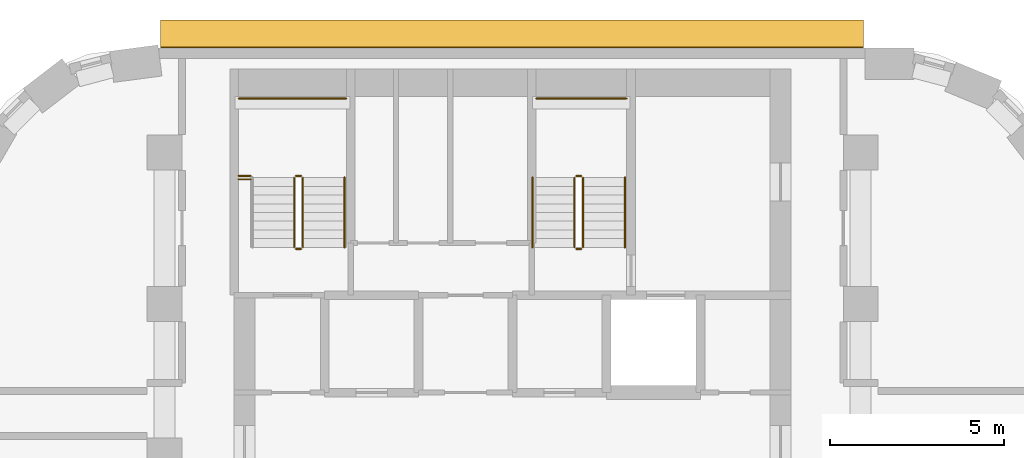
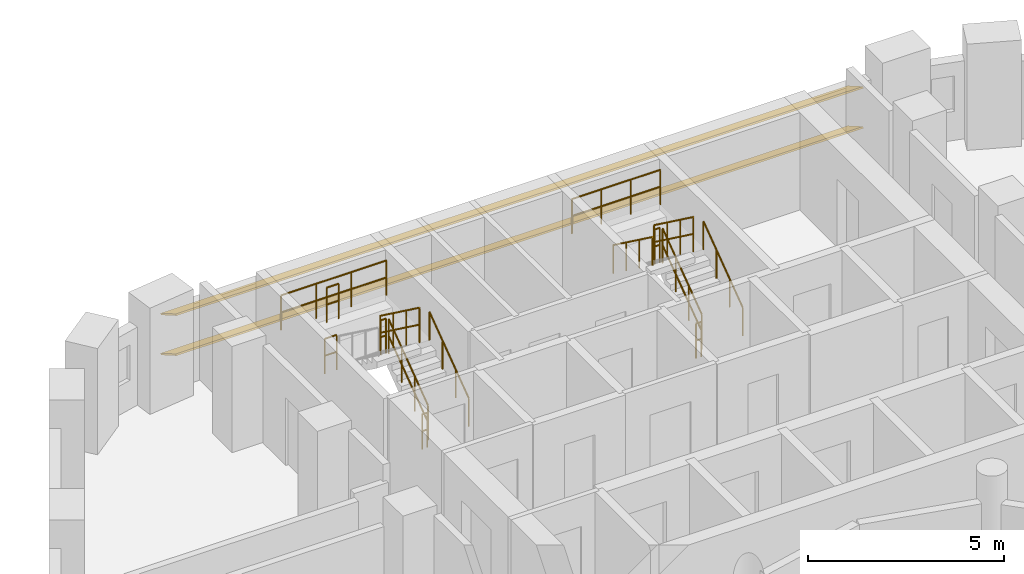
# One storey, part 12 of 12: 15 railings, 2 shading devices.
"""IFC4 building model written with IfcOpenShell, lengths in metres."""

from ifc_helpers import new_model, si_unit, direction, frame, origin, origin_2d, place, context, subcontext, project, spatial, rectangle, circle, extrude, material, material_profile, profile_set, type_object, element, save


model = new_model("IFC4")

# Units and contexts
model_context = context("Model", 3, precision=1e-05, world=origin(), true_north=direction((0.0, 1.0)))
body_context = subcontext(model_context, "Body", "Model", "MODEL_VIEW")
ifc_project = project(units=[si_unit("LENGTHUNIT", "METRE"), si_unit("AREAUNIT", "SQUARE_METRE"), si_unit("VOLUMEUNIT", "CUBIC_METRE"), si_unit("PLANEANGLEUNIT", "RADIAN"), si_unit("MASSUNIT", "GRAM", prefix="KILO")], contexts=[model_context])

# Site, building, storey
site_placement = place(None, origin())
site = spatial("IfcSite", under=ifc_project, at=site_placement, CompositionType="ELEMENT")
building_placement = place(site_placement, origin())
building = spatial("IfcBuilding", under=site, at=building_placement, Name="Nakaniwa Court", CompositionType="ELEMENT")
storey_placement = place(building_placement, frame((0.0, 0.0, 90.89990234375)))
storey = spatial("IfcBuildingStorey", under=building, at=storey_placement, Name="L23", CompositionType="ELEMENT", Elevation=90.89990234375)

# Shading devices
ifc_material_1 = material(Name="Perforated charcoal ceramic louvre blade")
ifc_material_profile = material_profile(ifc_material_1, rectangle(XDim=0.89990234375, YDim=0.050048828125, at=origin_2d()), Name="Perforated ceramic louvre blade")
ifc_profile_set = profile_set([ifc_material_profile], Name="Perforated charcoal ceramic louvre blade")
shading_device_type = type_object("IfcShadingDeviceType", Name="Perforated ceramic louvre blade", PredefinedType="JALOUSIE", material=ifc_profile_set)
for number, where, z_axis, x_axis, name in (
    (1, (90.07861328125, 104.402099609375, 0.550048828125), (-1.0, 0.0, 0.0), (0.0, -0.866025403784, 0.5), "L23 perforated ceramic louvre blade w08 1"),
    (2, (90.07861328125, 104.402099609375, 1.79345703125), (-1.0, 0.0, 0.0), (0.0, -0.866025403784, 0.5), "L23 perforated ceramic louvre blade w08 2"),
):
    element("IfcShadingDevice", number, at=place(storey_placement, frame(where, z_axis=z_axis, x_axis=x_axis)), inside=storey, type_object=shading_device_type, Name=name, PredefinedType="JALOUSIE", context=body_context, shape_type="SweptSolid", body=[
        extrude(rectangle(XDim=0.89990234375, YDim=0.050048828125, at=origin_2d()), origin(), (0.0, 0.0, 1.0), 20.19091796875),
    ])

# Railings
ifc_material_2 = material(Name="Black powder coated steel guard", Category="steel")
railing_type_1 = type_object("IfcRailingType", Name="Stair guard 1100", PredefinedType="GUARDRAIL", material=ifc_material_2)
railing_1_placement = place(storey_placement, frame((73.97509765625, 98.27490234375, 0.183349609375)))
element("IfcRailing", 3, at=railing_1_placement, inside=storey, type_object=railing_type_1, Name="L23 ST1 stair guard 1", PredefinedType="GUARDRAIL", context=body_context, shape_type="SweptSolid", body=[
    extrude(circle(Radius=0.02392578125, at=origin_2d()), frame((0.0, 0.0, 1.076171875), z_axis=(0.0, 0.806379959628, 0.591397802423), x_axis=(-1.0, 0.0, 0.0)), (0.0, 0.0, 1.0), 2.480224609375),
    extrude(circle(Radius=0.02392578125, at=origin_2d()), frame((0.0, 0.0, 0.550048828125), z_axis=(0.0, 0.806379959628, 0.591397802423), x_axis=(-1.0, 0.0, 0.0)), (0.0, 0.0, 1.0), 2.480224609375),
    extrude(circle(Radius=0.02099609375, at=origin_2d()), origin(), (0.0, 0.0, 1.0), 1.052001953125),
    extrude(circle(Radius=0.02099609375, at=origin_2d()), frame((0.0, 0.666748046875, 0.489013671875)), (0.0, 0.0, 1.0), 1.052001953125),
    extrude(circle(Radius=0.02099609375, at=origin_2d()), frame((0.0, 1.333251953125, 0.977783203125)), (0.0, 0.0, 1.0), 1.052001953125),
    extrude(circle(Radius=0.02099609375, at=origin_2d()), frame((0.0, 2.0, 1.466796875)), (0.0, 0.0, 1.0), 1.052001953125),
])
railing_2_placement = place(storey_placement, frame((73.925048828125, 100.324951171875, 1.650146484375)))
element("IfcRailing", 4, at=railing_2_placement, inside=storey, type_object=railing_type_1, Name="L23 ST1 stair guard 2", PredefinedType="GUARDRAIL", context=body_context, shape_type="SweptSolid", body=[
    extrude(circle(Radius=0.02392578125, at=origin_2d()), frame((0.0, 0.0, 1.076171875), z_axis=(-1.0, 0.0, 0.0), x_axis=(0.0, -1.0, 0.0)), (0.0, 0.0, 1.0), 0.150146484375),
    extrude(circle(Radius=0.02392578125, at=origin_2d()), frame((0.0, 0.0, 0.550048828125), z_axis=(-1.0, 0.0, 0.0), x_axis=(0.0, -1.0, 0.0)), (0.0, 0.0, 1.0), 0.150146484375),
    extrude(circle(Radius=0.02099609375, at=origin_2d()), origin(), (0.0, 0.0, 1.0), 1.052001953125),
    extrude(circle(Radius=0.02099609375, at=origin_2d()), frame((-0.150146484375, 0.0, 0.0)), (0.0, 0.0, 1.0), 1.052001953125),
])
railing_3_placement = place(storey_placement, frame((73.72509765625, 100.27490234375, 1.83349609375)))
element("IfcRailing", 5, at=railing_3_placement, inside=storey, type_object=railing_type_1, Name="L23 ST1 stair guard 3", PredefinedType="GUARDRAIL", context=body_context, shape_type="SweptSolid", body=[
    extrude(circle(Radius=0.02392578125, at=origin_2d()), frame((0.0, 0.0, 1.076171875), z_axis=(0.0, -0.806426902644, 0.591333789573), x_axis=(1.0, 0.0, 0.0)), (0.0, 0.0, 1.0), 2.47998046875),
    extrude(circle(Radius=0.02392578125, at=origin_2d()), frame((0.0, 0.0, 0.550048828125), z_axis=(0.0, -0.806426902644, 0.591333789573), x_axis=(1.0, 0.0, 0.0)), (0.0, 0.0, 1.0), 2.47998046875),
    extrude(circle(Radius=0.02099609375, at=origin_2d()), origin(), (0.0, 0.0, 1.0), 1.052001953125),
    extrude(circle(Radius=0.02099609375, at=origin_2d()), frame((0.0, -0.666748046875, 0.48876953125)), (0.0, 0.0, 1.0), 1.052001953125),
    extrude(circle(Radius=0.02099609375, at=origin_2d()), frame((0.0, -1.333251953125, 0.977783203125)), (0.0, 0.0, 1.0), 1.052001953125),
    extrude(circle(Radius=0.02099609375, at=origin_2d()), frame((0.0, -2.0, 1.466552734375)), (0.0, 0.0, 1.0), 1.052001953125),
])
railing_4_placement = place(storey_placement, frame((73.925048828125, 98.22509765625, 0.0)))
element("IfcRailing", 6, at=railing_4_placement, inside=storey, type_object=railing_type_1, Name="L23 ST1 stair guard 4", PredefinedType="GUARDRAIL", context=body_context, shape_type="SweptSolid", body=[
    extrude(circle(Radius=0.02392578125, at=origin_2d()), frame((0.0, 0.0, 1.076171875), z_axis=(-1.0, 0.0, 0.0), x_axis=(0.0, -1.0, 0.0)), (0.0, 0.0, 1.0), 0.150146484375),
    extrude(circle(Radius=0.02392578125, at=origin_2d()), frame((0.0, 0.0, 0.550048828125), z_axis=(-1.0, 0.0, 0.0), x_axis=(0.0, -1.0, 0.0)), (0.0, 0.0, 1.0), 0.150146484375),
    extrude(circle(Radius=0.02099609375, at=origin_2d()), origin(), (0.0, 0.0, 1.0), 1.052001953125),
    extrude(circle(Radius=0.02099609375, at=origin_2d()), frame((-0.150146484375, 0.0, 0.0)), (0.0, 0.0, 1.0), 1.052001953125),
])
railing_5_placement = place(storey_placement, frame((72.125, 102.550048828125, 1.650146484375)))
element("IfcRailing", 7, at=railing_5_placement, inside=storey, type_object=railing_type_1, Name="L23 ST1 landing end guard 1", PredefinedType="GUARDRAIL", context=body_context, shape_type="SweptSolid", body=[
    extrude(circle(Radius=0.02392578125, at=origin_2d()), frame((0.0, 0.0, 1.076171875), z_axis=(1.0, 0.0, 0.0), x_axis=(0.0, 1.0, 0.0)), (0.0, 0.0, 1.0), 3.10009765625),
    extrude(circle(Radius=0.02392578125, at=origin_2d()), frame((0.0, 0.0, 0.550048828125), z_axis=(1.0, 0.0, 0.0), x_axis=(0.0, 1.0, 0.0)), (0.0, 0.0, 1.0), 3.10009765625),
    extrude(circle(Radius=0.02099609375, at=origin_2d()), origin(), (0.0, 0.0, 1.0), 1.052001953125),
    extrude(circle(Radius=0.02099609375, at=origin_2d()), frame((1.033447265625, 0.0, 0.0)), (0.0, 0.0, 1.0), 1.052001953125),
    extrude(circle(Radius=0.02099609375, at=origin_2d()), frame((2.066650390625, 0.0, 0.0)), (0.0, 0.0, 1.0), 1.052001953125),
    extrude(circle(Radius=0.02099609375, at=origin_2d()), frame((3.10009765625, 0.0, 0.0)), (0.0, 0.0, 1.0), 1.052001953125),
])
for number, where, name in (
    (8, (72.125, 100.324951171875, 1.650146484375), "L23 ST1 landing side guard 1W"),
    (9, (72.125, 100.22509765625, 3.300048828125), "L23 ST1 floor edge guard 1W"),
):
    element("IfcRailing", number, at=place(storey_placement, frame(where)), inside=storey, type_object=railing_type_1, Name=name, PredefinedType="GUARDRAIL", context=body_context, shape_type="SweptSolid", body=[
        extrude(circle(Radius=0.02392578125, at=origin_2d()), frame((0.0, 0.0, 1.076171875), z_axis=(1.0, 0.0, 0.0), x_axis=(0.0, 1.0, 0.0)), (0.0, 0.0, 1.0), 0.35009765625),
        extrude(circle(Radius=0.02392578125, at=origin_2d()), frame((0.0, 0.0, 0.550048828125), z_axis=(1.0, 0.0, 0.0), x_axis=(0.0, 1.0, 0.0)), (0.0, 0.0, 1.0), 0.35009765625),
        extrude(circle(Radius=0.02099609375, at=origin_2d()), origin(), (0.0, 0.0, 1.0), 1.052001953125),
        extrude(circle(Radius=0.02099609375, at=origin_2d()), frame((0.35009765625, 0.0, 0.0)), (0.0, 0.0, 1.0), 1.052001953125),
    ])
railing_6_placement = place(storey_placement, frame((82.02490234375, 98.27490234375, 0.183349609375)))
element("IfcRailing", 10, at=railing_6_placement, inside=storey, type_object=railing_type_1, Name="L23 ST2 stair guard 1", PredefinedType="GUARDRAIL", context=body_context, shape_type="SweptSolid", body=[
    extrude(circle(Radius=0.02392578125, at=origin_2d()), frame((0.0, 0.0, 1.076171875), z_axis=(0.0, 0.806379959628, 0.591397802423), x_axis=(-1.0, 0.0, 0.0)), (0.0, 0.0, 1.0), 2.480224609375),
    extrude(circle(Radius=0.02392578125, at=origin_2d()), frame((0.0, 0.0, 0.550048828125), z_axis=(0.0, 0.806379959628, 0.591397802423), x_axis=(-1.0, 0.0, 0.0)), (0.0, 0.0, 1.0), 2.480224609375),
    extrude(circle(Radius=0.02099609375, at=origin_2d()), origin(), (0.0, 0.0, 1.0), 1.052001953125),
    extrude(circle(Radius=0.02099609375, at=origin_2d()), frame((0.0, 0.666748046875, 0.489013671875)), (0.0, 0.0, 1.0), 1.052001953125),
    extrude(circle(Radius=0.02099609375, at=origin_2d()), frame((0.0, 1.333251953125, 0.977783203125)), (0.0, 0.0, 1.0), 1.052001953125),
    extrude(circle(Radius=0.02099609375, at=origin_2d()), frame((0.0, 2.0, 1.466796875)), (0.0, 0.0, 1.0), 1.052001953125),
])
railing_7_placement = place(storey_placement, frame((81.97509765625, 100.324951171875, 1.650146484375)))
element("IfcRailing", 11, at=railing_7_placement, inside=storey, type_object=railing_type_1, Name="L23 ST2 stair guard 2", PredefinedType="GUARDRAIL", context=body_context, shape_type="SweptSolid", body=[
    extrude(circle(Radius=0.02392578125, at=origin_2d()), frame((0.0, 0.0, 1.076171875), z_axis=(-1.0, 0.0, 0.0), x_axis=(0.0, -1.0, 0.0)), (0.0, 0.0, 1.0), 0.150146484375),
    extrude(circle(Radius=0.02392578125, at=origin_2d()), frame((0.0, 0.0, 0.550048828125), z_axis=(-1.0, 0.0, 0.0), x_axis=(0.0, -1.0, 0.0)), (0.0, 0.0, 1.0), 0.150146484375),
    extrude(circle(Radius=0.02099609375, at=origin_2d()), origin(), (0.0, 0.0, 1.0), 1.052001953125),
    extrude(circle(Radius=0.02099609375, at=origin_2d()), frame((-0.150146484375, 0.0, 0.0)), (0.0, 0.0, 1.0), 1.052001953125),
])
railing_8_placement = place(storey_placement, frame((81.77490234375, 100.27490234375, 1.83349609375)))
element("IfcRailing", 12, at=railing_8_placement, inside=storey, type_object=railing_type_1, Name="L23 ST2 stair guard 3", PredefinedType="GUARDRAIL", context=body_context, shape_type="SweptSolid", body=[
    extrude(circle(Radius=0.02392578125, at=origin_2d()), frame((0.0, 0.0, 1.076171875), z_axis=(0.0, -0.806426902644, 0.591333789573), x_axis=(1.0, 0.0, 0.0)), (0.0, 0.0, 1.0), 2.47998046875),
    extrude(circle(Radius=0.02392578125, at=origin_2d()), frame((0.0, 0.0, 0.550048828125), z_axis=(0.0, -0.806426902644, 0.591333789573), x_axis=(1.0, 0.0, 0.0)), (0.0, 0.0, 1.0), 2.47998046875),
    extrude(circle(Radius=0.02099609375, at=origin_2d()), origin(), (0.0, 0.0, 1.0), 1.052001953125),
    extrude(circle(Radius=0.02099609375, at=origin_2d()), frame((0.0, -0.666748046875, 0.48876953125)), (0.0, 0.0, 1.0), 1.052001953125),
    extrude(circle(Radius=0.02099609375, at=origin_2d()), frame((0.0, -1.333251953125, 0.977783203125)), (0.0, 0.0, 1.0), 1.052001953125),
    extrude(circle(Radius=0.02099609375, at=origin_2d()), frame((0.0, -2.0, 1.466552734375)), (0.0, 0.0, 1.0), 1.052001953125),
])
railing_9_placement = place(storey_placement, frame((81.97509765625, 98.22509765625, 0.0)))
element("IfcRailing", 13, at=railing_9_placement, inside=storey, type_object=railing_type_1, Name="L23 ST2 stair guard 4", PredefinedType="GUARDRAIL", context=body_context, shape_type="SweptSolid", body=[
    extrude(circle(Radius=0.02392578125, at=origin_2d()), frame((0.0, 0.0, 1.076171875), z_axis=(-1.0, 0.0, 0.0), x_axis=(0.0, -1.0, 0.0)), (0.0, 0.0, 1.0), 0.150146484375),
    extrude(circle(Radius=0.02392578125, at=origin_2d()), frame((0.0, 0.0, 0.550048828125), z_axis=(-1.0, 0.0, 0.0), x_axis=(0.0, -1.0, 0.0)), (0.0, 0.0, 1.0), 0.150146484375),
    extrude(circle(Radius=0.02099609375, at=origin_2d()), origin(), (0.0, 0.0, 1.0), 1.052001953125),
    extrude(circle(Radius=0.02099609375, at=origin_2d()), frame((-0.150146484375, 0.0, 0.0)), (0.0, 0.0, 1.0), 1.052001953125),
])
railing_10_placement = place(storey_placement, frame((80.675048828125, 102.550048828125, 1.650146484375)))
element("IfcRailing", 14, at=railing_10_placement, inside=storey, type_object=railing_type_1, Name="L23 ST2 landing end guard 1", PredefinedType="GUARDRAIL", context=body_context, shape_type="SweptSolid", body=[
    extrude(circle(Radius=0.02392578125, at=origin_2d()), frame((0.0, 0.0, 1.076171875), z_axis=(1.0, 0.0, 0.0), x_axis=(0.0, 1.0, 0.0)), (0.0, 0.0, 1.0), 2.599853515625),
    extrude(circle(Radius=0.02392578125, at=origin_2d()), frame((0.0, 0.0, 0.550048828125), z_axis=(1.0, 0.0, 0.0), x_axis=(0.0, 1.0, 0.0)), (0.0, 0.0, 1.0), 2.599853515625),
    extrude(circle(Radius=0.02099609375, at=origin_2d()), origin(), (0.0, 0.0, 1.0), 1.052001953125),
    extrude(circle(Radius=0.02099609375, at=origin_2d()), frame((0.86669921875, 0.0, 0.0)), (0.0, 0.0, 1.0), 1.052001953125),
    extrude(circle(Radius=0.02099609375, at=origin_2d()), frame((1.733154296875, 0.0, 0.0)), (0.0, 0.0, 1.0), 1.052001953125),
    extrude(circle(Radius=0.02099609375, at=origin_2d()), frame((2.599853515625, 0.0, 0.0)), (0.0, 0.0, 1.0), 1.052001953125),
])
ifc_material_3 = material(Name="Black powder coated steel handrail", Category="steel")
railing_type_2 = type_object("IfcRailingType", Name="Stair handrail 900", PredefinedType="HANDRAIL", material=ifc_material_3)
for number, where, name in (
    (15, (75.175048828125, 98.27490234375, 0.183349609375), "L23 ST1 stair handrail 1"),
    (16, (83.22509765625, 98.27490234375, 0.183349609375), "L23 ST2 stair handrail 1"),
):
    element("IfcRailing", number, at=place(storey_placement, frame(where)), inside=storey, type_object=railing_type_2, Name=name, PredefinedType="HANDRAIL", context=body_context, shape_type="SweptSolid", body=[
        extrude(circle(Radius=0.02392578125, at=origin_2d()), frame((0.0, 0.0, 0.8759765625), z_axis=(0.0, 0.806379959628, 0.591397802423), x_axis=(-1.0, 0.0, 0.0)), (0.0, 0.0, 1.0), 2.480224609375),
        extrude(circle(Radius=0.02099609375, at=origin_2d()), origin(), (0.0, 0.0, 1.0), 0.851806640625),
        extrude(circle(Radius=0.02099609375, at=origin_2d()), frame((0.0, 0.666748046875, 0.489013671875)), (0.0, 0.0, 1.0), 0.851806640625),
        extrude(circle(Radius=0.02099609375, at=origin_2d()), frame((0.0, 1.333251953125, 0.977783203125)), (0.0, 0.0, 1.0), 0.851806640625),
        extrude(circle(Radius=0.02099609375, at=origin_2d()), frame((0.0, 2.0, 1.466796875)), (0.0, 0.0, 1.0), 0.851806640625),
    ])
railing_11_placement = place(storey_placement, frame((80.574951171875, 100.27490234375, 1.83349609375)))
element("IfcRailing", 17, at=railing_11_placement, inside=storey, type_object=railing_type_2, Name="L23 ST2 stair handrail 2", PredefinedType="HANDRAIL", context=body_context, shape_type="SweptSolid", body=[
    extrude(circle(Radius=0.02392578125, at=origin_2d()), frame((0.0, 0.0, 0.8759765625), z_axis=(0.0, -0.806426902644, 0.591333789573), x_axis=(1.0, 0.0, 0.0)), (0.0, 0.0, 1.0), 2.47998046875),
    extrude(circle(Radius=0.02099609375, at=origin_2d()), origin(), (0.0, 0.0, 1.0), 0.851806640625),
    extrude(circle(Radius=0.02099609375, at=origin_2d()), frame((0.0, -0.666748046875, 0.48876953125)), (0.0, 0.0, 1.0), 0.851806640625),
    extrude(circle(Radius=0.02099609375, at=origin_2d()), frame((0.0, -1.333251953125, 0.977783203125)), (0.0, 0.0, 1.0), 0.851806640625),
    extrude(circle(Radius=0.02099609375, at=origin_2d()), frame((0.0, -2.0, 1.466552734375)), (0.0, 0.0, 1.0), 0.851806640625),
])

save(model, "model.ifc")
